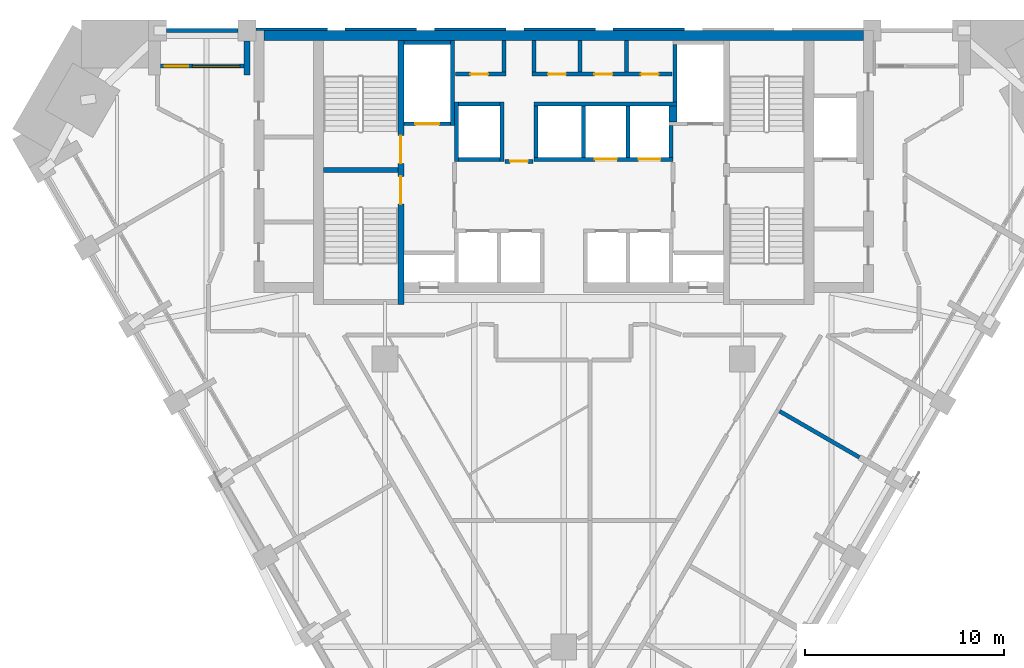
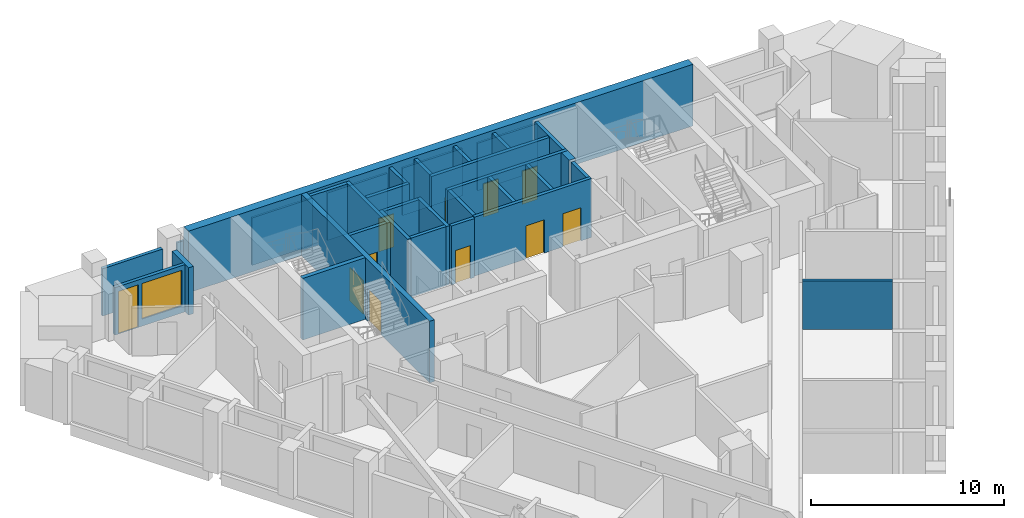
# One storey, part 6 of 10: 34 walls, 11 doors, 1 window, 12 openings.
"""IFC4 building model written with IfcOpenShell, lengths in metres."""

from ifc_helpers import new_model, si_unit, direction, frame, frame_2d, origin, place, context, subcontext, project, spatial, polyline, rectangle, outline, extrude, material, layer, layer_set, type_object, element, fill, save


model = new_model("IFC4")

# Units and contexts
model_context = context("Model", 3, precision=1e-05, world=origin(), true_north=direction((0.0, 1.0)))
body_context = subcontext(model_context, "Body", "Model", "MODEL_VIEW")
ifc_project = project(units=[si_unit("LENGTHUNIT", "METRE"), si_unit("AREAUNIT", "SQUARE_METRE"), si_unit("VOLUMEUNIT", "CUBIC_METRE"), si_unit("PLANEANGLEUNIT", "RADIAN"), si_unit("MASSUNIT", "GRAM", prefix="KILO")], contexts=[model_context])

# Site, building, storey
site_placement = place(None, origin())
site = spatial("IfcSite", under=ifc_project, at=site_placement, CompositionType="ELEMENT")
building_placement = place(site_placement, origin())
building = spatial("IfcBuilding", under=site, at=building_placement, Name="Calabash Gate Tower", CompositionType="ELEMENT")
storey_placement = place(building_placement, frame((0.0, 0.0, 152.39990234375)))
storey = spatial("IfcBuildingStorey", under=building, at=storey_placement, Name="L35", CompositionType="ELEMENT", Elevation=152.39990234375)

# Walls
ifc_material_1 = material(Name="Terracotta brick masonry, exposed face", Category="masonry")
ifc_layer_1 = layer(ifc_material_1, 0.300048828125)
ifc_layer_set_1 = layer_set([ifc_layer_1], Name="Brick loggia cheek wall 300")
wall_type_1 = type_object("IfcWallType", Name="Brick loggia cheek wall 300", PredefinedType="SOLIDWALL", material=ifc_layer_set_1)
wall_1_placement = place(storey_placement, origin())
element("IfcWall", 1, at=wall_1_placement, inside=storey, type_object=wall_type_1, Name="Loggia cheek S09 N6.8", PredefinedType="SOLIDWALL", context=body_context, shape_type="SweptSolid", body=[
    extrude(outline(polyline([(-15.8046875, 16.802490234375), (-15.8046875, 18.527587890625), (-16.104736328125, 18.527587890625), (-16.104736328125, 16.802490234375), (-15.8046875, 16.802490234375)])), origin(), (0.0, 0.0, 1.0), 3.0),
])
ifc_material_2 = material(Name="Gypsum board on steel studs, mineral wool", Category="steel")
ifc_layer_2 = layer(ifc_material_2, 0.199951171875)
ifc_layer_set_2 = layer_set([ifc_layer_2], Name="Core partition 200 gypsum board")
wall_type_2 = type_object("IfcWallType", Name="Core partition 200 gypsum board", PredefinedType="PARTITIONING", material=ifc_layer_set_2)
for number, where, z_axis, x_axis, name in (
    (2, (-3.0, 16.95263671875, 0.0), (0.0, 0.0, 1.0), (0.0, 1.0, 0.0), "Core partition"),
    (3, (-1.5, 16.95263671875, 0.0), (0.0, 0.0, 1.0), (0.0, 1.0, 0.0), "Core partition"),
    (4, (0.833251953125, 16.95263671875, 0.0), (0.0, 0.0, 1.0), (0.0, 1.0, 0.0), "Core partition"),
    (5, (3.166748046875, 16.95263671875, 0.0), (0.0, 0.0, 1.0), (0.0, 1.0, 0.0), "Core partition"),
):
    element("IfcWall", number, at=place(storey_placement, frame(where, z_axis=z_axis, x_axis=x_axis)), inside=storey, type_object=wall_type_2, Name=name, PredefinedType="PARTITIONING", context=body_context, shape_type="SweptSolid", body=[
        extrude(rectangle(XDim=1.599853515625, YDim=0.199951171875, at=frame_2d((0.7998046875, 0.0))), origin(), (0.0, 0.0, 1.0), 3.72998046875),
    ])
ifc_material_3 = material(Name="Concrete C70/85", Category="concrete")
ifc_layer_3 = layer(ifc_material_3, 0.25)
ifc_layer_set_3 = layer_set([ifc_layer_3], Name="Core wall 250 Concrete C70/85")
wall_type_3 = type_object("IfcWallType", Name="Core wall 250 Concrete C70/85", PredefinedType="SHEAR", material=ifc_layer_set_3)
wall_2_placement = place(storey_placement, frame((-12.10009765625, 12.027587890625, 0.0), z_axis=(0.0, 0.0, 1.0), x_axis=(1.0, 0.0, 0.0)))
element("IfcWall", 6, at=wall_2_placement, inside=storey, type_object=wall_type_3, Name="Core wall Z3-MIDW L35", PredefinedType="SHEAR", context=body_context, shape_type="SweptSolid", body=[
    extrude(rectangle(XDim=3.75, YDim=0.25, at=frame_2d((1.875, 0.0))), origin(), (0.0, 0.0, 1.0), 3.900146484375),
])

# Wall, openings, doors
ifc_material_4 = material(Name="Concrete C70/85", Category="concrete")
ifc_layer_4 = layer(ifc_material_4, 0.300048828125)
ifc_layer_set_4 = layer_set([ifc_layer_4], Name="Core wall 300 Concrete C70/85")
wall_type_4 = type_object("IfcWallType", Name="Core wall 300 Concrete C70/85", PredefinedType="SHEAR", material=ifc_layer_set_4)
wall_3_placement = place(storey_placement, frame((-8.199951171875, 5.252685546875, 0.0), z_axis=(0.0, 0.0, 1.0), x_axis=(0.0, 1.0, 0.0)))
wall_3 = element("IfcWall", 7, at=wall_3_placement, inside=storey, type_object=wall_type_4, Name="Core wall Z3-PARTW L35", PredefinedType="SHEAR", context=body_context, shape_type="SweptSolid", body=[
    extrude(rectangle(XDim=13.2998046875, YDim=0.300048828125, at=frame_2d((6.64990234375, 0.0))), origin(), (0.0, 0.0, 1.0), 3.900146484375),
])
opening_1_placement = place(wall_3_placement, frame((7.10009765625, 0.0, 0.0)))
opening_1 = element("IfcOpeningElement", 8, at=opening_1_placement, cuts=wall_3, Name="Opening O1-016", PredefinedType="OPENING", context=body_context, shape_type="SweptSolid", body=[
    extrude(rectangle(XDim=1.39990234375, YDim=2.10009765625, at=frame_2d((0.699951171875, 1.050048828125))), frame((0.0, 0.159912109375, 0.0), z_axis=(0.0, -1.0, 0.0), x_axis=(1.0, 0.0, 0.0)), (0.0, 0.0, 1.0), 0.320068359375),
])
opening_2_placement = place(wall_3_placement, frame((5.050048828125, 0.0, 0.0)))
opening_2 = element("IfcOpeningElement", 9, at=opening_2_placement, cuts=wall_3, Name="Opening O1-017", PredefinedType="OPENING", context=body_context, shape_type="SweptSolid", body=[
    extrude(rectangle(XDim=1.39990234375, YDim=2.10009765625, at=frame_2d((0.699951171875, 1.050048828125))), frame((0.0, 0.159912109375, 0.0), z_axis=(0.0, -1.0, 0.0), x_axis=(1.0, 0.0, 0.0)), (0.0, 0.0, 1.0), 0.320068359375),
])
ifc_material_5 = material(Name="Steel fire door set with fire-resisting glazing", Category="steel")
door_type_1 = type_object("IfcDoorType", Name="Fire door D05 1400x2100 FD90", OperationType="NOTDEFINED", PredefinedType="DOOR", material=ifc_material_5)
door_1_placement = place(opening_1_placement, origin())
door_1 = element("IfcDoor", 10, at=door_1_placement, inside=storey, type_object=door_type_1, Name="Exit stair door ST1", OperationType="SINGLE_SWING_LEFT", OverallHeight=2.10009765625, OverallWidth=1.39990234375, PredefinedType="DOOR", context=body_context, shape_type="SweptSolid", body=[
    extrude(rectangle(XDim=1.39990234375, YDim=2.10009765625, at=frame_2d((0.699951171875, 1.050048828125))), frame((0.0, 0.02490234375, 0.0), z_axis=(0.0, -1.0, 0.0), x_axis=(1.0, 0.0, 0.0)), (0.0, 0.0, 1.0), 0.050048828125),
])
fill(opening_1, door_1)
door_2_placement = place(opening_2_placement, origin())
door_2 = element("IfcDoor", 11, at=door_2_placement, inside=storey, type_object=door_type_1, Name="Exit stair door ST2", OperationType="SINGLE_SWING_LEFT", OverallHeight=2.10009765625, OverallWidth=1.39990234375, PredefinedType="DOOR", context=body_context, shape_type="SweptSolid", body=[
    extrude(rectangle(XDim=1.39990234375, YDim=2.10009765625, at=frame_2d((0.699951171875, 1.050048828125))), frame((0.0, 0.02490234375, 0.0), z_axis=(0.0, -1.0, 0.0), x_axis=(1.0, 0.0, 0.0)), (0.0, 0.0, 1.0), 0.050048828125),
])
fill(opening_2, door_2)

# Walls
ifc_material_6 = material(Name="Concrete C70/85", Category="concrete")
ifc_layer_5 = layer(ifc_material_6, 0.5)
ifc_layer_set_5 = layer_set([ifc_layer_5], Name="Core wall 500 Concrete C70/85")
wall_type_5 = type_object("IfcWallType", Name="Core wall 500 Concrete C70/85", PredefinedType="SHEAR", material=ifc_layer_set_5)
wall_4_placement = place(storey_placement, frame((-15.10009765625, 18.802490234375, 0.0), z_axis=(0.0, 0.0, 1.0), x_axis=(1.0, 0.0, 0.0)))
element("IfcWall", 12, at=wall_4_placement, inside=storey, type_object=wall_type_5, Name="Core wall Z3-N L35", PredefinedType="SHEAR", context=body_context, shape_type="SweptSolid", body=[
    extrude(rectangle(XDim=30.2001953125, YDim=0.5, at=frame_2d((15.10009765625, 0.0))), origin(), (0.0, 0.0, 1.0), 3.900146484375),
])
ifc_material_7 = material(Name="Gypsum board on steel studs, mineral wool", Category="steel")
ifc_layer_6 = layer(ifc_material_7, 0.199951171875)
ifc_layer_set_6 = layer_set([ifc_layer_6], Name="Partition 200 gypsum board EI 60")
wall_type_6 = type_object("IfcWallType", Name="Partition 200 gypsum board EI 60", PredefinedType="PARTITIONING", material=ifc_layer_set_6)
wall_5_placement = place(storey_placement, frame((10.87255859375, -0.127685546875, 0.0), z_axis=(0.0, 0.0, 1.0), x_axis=(0.86585748916, -0.500290723946, 0.0)))
element("IfcWall", 13, at=wall_5_placement, inside=storey, type_object=wall_type_6, Name="Partition", PredefinedType="PARTITIONING", context=body_context, shape_type="SweptSolid", body=[
    extrude(rectangle(XDim=4.648193359375, YDim=0.199951171875, at=frame_2d((2.32421875, 0.0))), origin(), (0.0, 0.0, 1.0), 3.052001953125),
])

# Wall, opening, door
ifc_material_8 = material(Name="Concrete C40/50", Category="concrete")
ifc_layer_7 = layer(ifc_material_8, 0.199951171875)
ifc_layer_set_7 = layer_set([ifc_layer_7], Name="Shaft wall 200 Concrete C40/50")
wall_type_7 = type_object("IfcWallType", Name="Shaft wall 200 Concrete C40/50", PredefinedType="SOLIDWALL", material=ifc_layer_set_7)
wall_6_placement = place(storey_placement, frame((-2.949951171875, 12.45263671875, 0.0), z_axis=(0.0, 0.0, 1.0), x_axis=(1.0, 0.0, 0.0)))
wall_6 = element("IfcWall", 14, at=wall_6_placement, inside=storey, type_object=wall_type_7, Name="Shaft wall", PredefinedType="SOLIDWALL", context=body_context, shape_type="SweptSolid", body=[
    extrude(rectangle(XDim=1.39990234375, YDim=0.199951171875, at=frame_2d((0.699951171875, 0.0))), origin(), (0.0, 0.0, 1.0), 3.72998046875),
])
opening_3_placement = place(wall_6_placement, frame((0.25, 0.0, 0.0)))
opening_3 = element("IfcOpeningElement", 15, at=opening_3_placement, cuts=wall_6, Name="Opening O1-007", PredefinedType="OPENING", context=body_context, shape_type="SweptSolid", body=[
    extrude(rectangle(XDim=0.89990234375, YDim=2.10009765625, at=frame_2d((0.449951171875, 1.050048828125))), frame((0.0, 0.10986328125, 0.0), z_axis=(0.0, -1.0, 0.0), x_axis=(1.0, 0.0, 0.0)), (0.0, 0.0, 1.0), 0.219970703125),
])
ifc_material_9 = material(Name="Steel fire door set with fire-resisting glazing", Category="steel")
door_type_2 = type_object("IfcDoorType", Name="Fire door D06 900x2100 FD60", OperationType="NOTDEFINED", PredefinedType="DOOR", material=ifc_material_9)
door_3_placement = place(opening_3_placement, origin())
door_3 = element("IfcDoor", 16, at=door_3_placement, inside=storey, type_object=door_type_2, Name="Service Corridor door", OperationType="SINGLE_SWING_RIGHT", OverallHeight=2.10009765625, OverallWidth=0.89990234375, PredefinedType="DOOR", context=body_context, shape_type="SweptSolid", body=[
    extrude(rectangle(XDim=0.89990234375, YDim=2.10009765625, at=frame_2d((0.449951171875, 1.050048828125))), frame((0.0, 0.02490234375, 0.0), z_axis=(0.0, -1.0, 0.0), x_axis=(1.0, 0.0, 0.0)), (0.0, 0.0, 1.0), 0.050048828125),
])
fill(opening_3, door_3)

# Walls
wall_7_placement = place(storey_placement, frame((-5.39990234375, 12.45263671875, 0.0), z_axis=(0.0, 0.0, 1.0), x_axis=(0.0, 1.0, 0.0)))
element("IfcWall", 17, at=wall_7_placement, inside=storey, type_object=wall_type_7, Name="Shaft wall", PredefinedType="SOLIDWALL", context=body_context, shape_type="SweptSolid", body=[
    extrude(rectangle(XDim=3.0, YDim=0.199951171875, at=frame_2d((1.5, 0.0))), origin(), (0.0, 0.0, 1.0), 3.72998046875),
])
wall_8_placement = place(storey_placement, frame((-5.300048828125, 12.552490234375, 0.0), z_axis=(0.0, 0.0, 1.0), x_axis=(1.0, 0.0, 0.0)))
element("IfcWall", 18, at=wall_8_placement, inside=storey, type_object=wall_type_7, Name="Shaft wall", PredefinedType="SOLIDWALL", context=body_context, shape_type="SweptSolid", body=[
    extrude(rectangle(XDim=2.10009765625, YDim=0.199951171875, at=frame_2d((1.050048828125, 0.0))), origin(), (0.0, 0.0, 1.0), 3.72998046875),
])
wall_9_placement = place(storey_placement, frame((-3.10009765625, 12.45263671875, 0.0), z_axis=(0.0, 0.0, 1.0), x_axis=(0.0, 1.0, 0.0)))
element("IfcWall", 19, at=wall_9_placement, inside=storey, type_object=wall_type_7, Name="Shaft wall", PredefinedType="SOLIDWALL", context=body_context, shape_type="SweptSolid", body=[
    extrude(rectangle(XDim=3.0, YDim=0.199951171875, at=frame_2d((1.5, 0.0))), origin(), (0.0, 0.0, 1.0), 3.72998046875),
])

# Wall, openings, doors
wall_10_placement = place(storey_placement, frame((-1.5, 12.552490234375, 0.0), z_axis=(0.0, 0.0, 1.0), x_axis=(1.0, 0.0, 0.0)))
wall_10 = element("IfcWall", 20, at=wall_10_placement, inside=storey, type_object=wall_type_7, Name="Shaft wall", PredefinedType="SOLIDWALL", context=body_context, shape_type="SweptSolid", body=[
    extrude(rectangle(XDim=7.0, YDim=0.199951171875, at=frame_2d((3.5, 0.0))), origin(), (0.0, 0.0, 1.0), 3.72998046875),
])
opening_4_placement = place(wall_10_placement, frame((3.074951171875, 0.0, 0.0)))
opening_4 = element("IfcOpeningElement", 21, at=opening_4_placement, cuts=wall_10, Name="Opening LD-HR5", PredefinedType="OPENING", context=body_context, shape_type="SweptSolid", body=[
    extrude(rectangle(XDim=1.10009765625, YDim=2.10009765625, at=frame_2d((0.550048828125, 1.050048828125))), frame((0.0, 0.10986328125, 0.0), z_axis=(0.0, -1.0, 0.0), x_axis=(1.0, 0.0, 0.0)), (0.0, 0.0, 1.0), 0.219970703125),
])
opening_5_placement = place(wall_10_placement, frame((5.27490234375, 0.0, 0.0)))
opening_5 = element("IfcOpeningElement", 22, at=opening_5_placement, cuts=wall_10, Name="Opening LD-HR6", PredefinedType="OPENING", context=body_context, shape_type="SweptSolid", body=[
    extrude(rectangle(XDim=1.10009765625, YDim=2.10009765625, at=frame_2d((0.550048828125, 1.050048828125))), frame((0.0, 0.10986328125, 0.0), z_axis=(0.0, -1.0, 0.0), x_axis=(1.0, 0.0, 0.0)), (0.0, 0.0, 1.0), 0.219970703125),
])
ifc_material_10 = material(Name="Stainless steel sliding door leaves", Category="steel")
door_type_3 = type_object("IfcDoorType", Name="Lift landing door LS1 1100x2100 FD90", OperationType="DOUBLE_DOOR_SLIDING", PredefinedType="DOOR", material=ifc_material_10)
door_4_placement = place(opening_4_placement, origin())
door_4 = element("IfcDoor", 23, at=door_4_placement, inside=storey, type_object=door_type_3, Name="Lift landing door HR5", OperationType="DOUBLE_DOOR_SLIDING", OverallHeight=2.10009765625, OverallWidth=1.10009765625, PredefinedType="DOOR", context=body_context, shape_type="SweptSolid", body=[
    extrude(rectangle(XDim=1.10009765625, YDim=2.10009765625, at=frame_2d((0.550048828125, 1.050048828125))), frame((0.0, 0.02490234375, 0.0), z_axis=(0.0, -1.0, 0.0), x_axis=(1.0, 0.0, 0.0)), (0.0, 0.0, 1.0), 0.050048828125),
])
fill(opening_4, door_4)
door_5_placement = place(opening_5_placement, origin())
door_5 = element("IfcDoor", 24, at=door_5_placement, inside=storey, type_object=door_type_3, Name="Lift landing door HR6", OperationType="DOUBLE_DOOR_SLIDING", OverallHeight=2.10009765625, OverallWidth=1.10009765625, PredefinedType="DOOR", context=body_context, shape_type="SweptSolid", body=[
    extrude(rectangle(XDim=1.10009765625, YDim=2.10009765625, at=frame_2d((0.550048828125, 1.050048828125))), frame((0.0, 0.02490234375, 0.0), z_axis=(0.0, -1.0, 0.0), x_axis=(1.0, 0.0, 0.0)), (0.0, 0.0, 1.0), 0.050048828125),
])
fill(opening_5, door_5)

# Walls
for number, where, z_axis, x_axis, name in (
    (25, (-1.39990234375, 12.652587890625, 0.0), (0.0, 0.0, 1.0), (0.0, 1.0, 0.0), "Shaft wall"),
    (26, (1.0, 12.652587890625, 0.0), (0.0, 0.0, 1.0), (0.0, 1.0, 0.0), "Shaft wall"),
    (27, (3.25, 12.652587890625, 0.0), (0.0, 0.0, 1.0), (0.0, 1.0, 0.0), "Shaft wall"),
):
    element("IfcWall", number, at=place(storey_placement, frame(where, z_axis=z_axis, x_axis=x_axis)), inside=storey, type_object=wall_type_7, Name=name, PredefinedType="SOLIDWALL", context=body_context, shape_type="SweptSolid", body=[
        extrude(rectangle(XDim=2.60009765625, YDim=0.199951171875, at=frame_2d((1.300048828125, 0.0))), origin(), (0.0, 0.0, 1.0), 3.72998046875),
    ])
wall_11_placement = place(storey_placement, frame((5.39990234375, 12.652587890625, 0.0), z_axis=(0.0, 0.0, 1.0), x_axis=(0.0, 1.0, 0.0)))
element("IfcWall", 28, at=wall_11_placement, inside=storey, type_object=wall_type_7, Name="Shaft wall", PredefinedType="SOLIDWALL", context=body_context, shape_type="SweptSolid", body=[
    extrude(rectangle(XDim=1.60009765625, YDim=0.199951171875, at=frame_2d((0.800048828125, 0.0))), origin(), (0.0, 0.0, 1.0), 3.72998046875),
])

# Wall, opening, door
wall_12_placement = place(storey_placement, frame((-8.050048828125, 14.3525390625, 0.0), z_axis=(0.0, 0.0, 1.0), x_axis=(1.0, 0.0, 0.0)))
wall_12 = element("IfcWall", 29, at=wall_12_placement, inside=storey, type_object=wall_type_7, Name="Shaft wall", PredefinedType="SOLIDWALL", context=body_context, shape_type="SweptSolid", body=[
    extrude(rectangle(XDim=2.35009765625, YDim=0.199951171875, at=frame_2d((1.175048828125, 0.0))), origin(), (0.0, 0.0, 1.0), 3.72998046875),
])
opening_6_placement = place(wall_12_placement, frame((0.574951171875, 0.0, 0.0)))
opening_6 = element("IfcOpeningElement", 30, at=opening_6_placement, cuts=wall_12, Name="Opening LD-FF1", PredefinedType="OPENING", context=body_context, shape_type="SweptSolid", body=[
    extrude(rectangle(XDim=1.199951171875, YDim=2.10009765625, at=frame_2d((0.60009765625, 1.050048828125))), frame((0.0, 0.10986328125, 0.0), z_axis=(0.0, -1.0, 0.0), x_axis=(1.0, 0.0, 0.0)), (0.0, 0.0, 1.0), 0.219970703125),
])
ifc_material_11 = material(Name="Stainless steel sliding door leaves", Category="steel")
door_type_4 = type_object("IfcDoorType", Name="Lift landing door LS3 1200x2100 FD90", OperationType="DOUBLE_DOOR_SLIDING", PredefinedType="DOOR", material=ifc_material_11)
door_6_placement = place(opening_6_placement, origin())
door_6 = element("IfcDoor", 31, at=door_6_placement, inside=storey, type_object=door_type_4, Name="Lift landing door FF1", OperationType="DOUBLE_DOOR_SLIDING", OverallHeight=2.10009765625, OverallWidth=1.199951171875, PredefinedType="DOOR", context=body_context, shape_type="SweptSolid", body=[
    extrude(rectangle(XDim=1.199951171875, YDim=2.10009765625, at=frame_2d((0.60009765625, 1.050048828125))), frame((0.0, 0.02490234375, 0.0), z_axis=(0.0, -1.0, 0.0), x_axis=(1.0, 0.0, 0.0)), (0.0, 0.0, 1.0), 0.050048828125),
])
fill(opening_6, door_6)

# Walls
wall_13_placement = place(storey_placement, frame((-5.60009765625, 14.252685546875, 0.0), z_axis=(0.0, 0.0, 1.0), x_axis=(0.0, 1.0, 0.0)))
element("IfcWall", 32, at=wall_13_placement, inside=storey, type_object=wall_type_7, Name="Shaft wall", PredefinedType="SOLIDWALL", context=body_context, shape_type="SweptSolid", body=[
    extrude(rectangle(XDim=4.2998046875, YDim=0.199951171875, at=frame_2d((2.14990234375, 0.0))), origin(), (0.0, 0.0, 1.0), 3.72998046875),
])
wall_14_placement = place(storey_placement, frame((5.5, 14.45263671875, 0.0), z_axis=(0.0, 0.0, 1.0), x_axis=(0.0, 1.0, 0.0)))
element("IfcWall", 33, at=wall_14_placement, inside=storey, type_object=wall_type_7, Name="Shaft wall", PredefinedType="SOLIDWALL", context=body_context, shape_type="SweptSolid", body=[
    extrude(rectangle(XDim=0.800048828125, YDim=0.39990234375, at=frame_2d((0.39990234375, 0.0))), origin(), (0.0, 0.0, 1.0), 3.72998046875),
])
wall_15_placement = place(storey_placement, frame((-5.300048828125, 15.3525390625, 0.0), z_axis=(0.0, 0.0, 1.0), x_axis=(1.0, 0.0, 0.0)))
element("IfcWall", 34, at=wall_15_placement, inside=storey, type_object=wall_type_7, Name="Shaft wall", PredefinedType="SOLIDWALL", context=body_context, shape_type="SweptSolid", body=[
    extrude(rectangle(XDim=2.10009765625, YDim=0.199951171875, at=frame_2d((1.050048828125, 0.0))), origin(), (0.0, 0.0, 1.0), 3.72998046875),
])
wall_16_placement = place(storey_placement, frame((-1.5, 15.3525390625, 0.0), z_axis=(0.0, 0.0, 1.0), x_axis=(1.0, 0.0, 0.0)))
element("IfcWall", 35, at=wall_16_placement, inside=storey, type_object=wall_type_7, Name="Shaft wall", PredefinedType="SOLIDWALL", context=body_context, shape_type="SweptSolid", body=[
    extrude(rectangle(XDim=7.199951171875, YDim=0.199951171875, at=frame_2d((3.60009765625, 0.0))), origin(), (0.0, 0.0, 1.0), 3.72998046875),
])
wall_17_placement = place(storey_placement, frame((5.60009765625, 15.45263671875, 0.0), z_axis=(0.0, 0.0, 1.0), x_axis=(0.0, 1.0, 0.0)))
element("IfcWall", 36, at=wall_17_placement, inside=storey, type_object=wall_type_7, Name="Shaft wall", PredefinedType="SOLIDWALL", context=body_context, shape_type="SweptSolid", body=[
    extrude(rectangle(XDim=2.89990234375, YDim=0.199951171875, at=frame_2d((1.449951171875, 0.0))), origin(), (0.0, 0.0, 1.0), 3.72998046875),
])

# Wall, opening, door
wall_18_placement = place(storey_placement, frame((-5.449951171875, 16.8525390625, 0.0), z_axis=(0.0, 0.0, 1.0), x_axis=(1.0, 0.0, 0.0)))
wall_18 = element("IfcWall", 37, at=wall_18_placement, inside=storey, type_object=wall_type_7, Name="Shaft wall", PredefinedType="SOLIDWALL", context=body_context, shape_type="SweptSolid", body=[
    extrude(rectangle(XDim=2.550048828125, YDim=0.199951171875, at=frame_2d((1.27490234375, 0.0))), origin(), (0.0, 0.0, 1.0), 3.72998046875),
])
opening_7_placement = place(wall_18_placement, frame((0.75, 0.0, 0.0)))
opening_7 = element("IfcOpeningElement", 38, at=opening_7_placement, cuts=wall_18, Name="Opening O1-010", PredefinedType="OPENING", context=body_context, shape_type="SweptSolid", body=[
    extrude(rectangle(XDim=0.89990234375, YDim=2.10009765625, at=frame_2d((0.449951171875, 1.050048828125))), frame((0.0, 0.10986328125, 0.0), z_axis=(0.0, -1.0, 0.0), x_axis=(1.0, 0.0, 0.0)), (0.0, 0.0, 1.0), 0.219970703125),
])
door_7_placement = place(opening_7_placement, origin())
door_7 = element("IfcDoor", 39, at=door_7_placement, inside=storey, type_object=door_type_2, Name="Accessible WC door", OperationType="SINGLE_SWING_LEFT", OverallHeight=2.10009765625, OverallWidth=0.89990234375, PredefinedType="DOOR", context=body_context, shape_type="SweptSolid", body=[
    extrude(rectangle(XDim=0.89990234375, YDim=2.10009765625, at=frame_2d((0.449951171875, 1.050048828125))), frame((0.0, 0.02490234375, 0.0), z_axis=(0.0, -1.0, 0.0), x_axis=(1.0, 0.0, 0.0)), (0.0, 0.0, 1.0), 0.050048828125),
])
fill(opening_7, door_7)

# Wall, openings, doors
wall_19_placement = place(storey_placement, frame((-1.60009765625, 16.8525390625, 0.0), z_axis=(0.0, 0.0, 1.0), x_axis=(1.0, 0.0, 0.0)))
wall_19 = element("IfcWall", 40, at=wall_19_placement, inside=storey, type_object=wall_type_7, Name="Shaft wall", PredefinedType="SOLIDWALL", context=body_context, shape_type="SweptSolid", body=[
    extrude(rectangle(XDim=7.050048828125, YDim=0.199951171875, at=frame_2d((3.52490234375, 0.0))), origin(), (0.0, 0.0, 1.0), 3.72998046875),
])
opening_8_placement = place(wall_19_placement, frame((0.816650390625, 0.0, 0.0)))
opening_8 = element("IfcOpeningElement", 41, at=opening_8_placement, cuts=wall_19, Name="Opening O1-011", PredefinedType="OPENING", context=body_context, shape_type="SweptSolid", body=[
    extrude(rectangle(XDim=0.89990234375, YDim=2.10009765625, at=frame_2d((0.449951171875, 1.050048828125))), frame((0.0, 0.10986328125, 0.0), z_axis=(0.0, -1.0, 0.0), x_axis=(1.0, 0.0, 0.0)), (0.0, 0.0, 1.0), 0.219970703125),
])
opening_9_placement = place(wall_19_placement, frame((3.14990234375, 0.0, 0.0)))
opening_9 = element("IfcOpeningElement", 42, at=opening_9_placement, cuts=wall_19, Name="Opening O1-012", PredefinedType="OPENING", context=body_context, shape_type="SweptSolid", body=[
    extrude(rectangle(XDim=0.89990234375, YDim=2.10009765625, at=frame_2d((0.449951171875, 1.050048828125))), frame((0.0, 0.10986328125, 0.0), z_axis=(0.0, -1.0, 0.0), x_axis=(1.0, 0.0, 0.0)), (0.0, 0.0, 1.0), 0.219970703125),
])
opening_10_placement = place(wall_19_placement, frame((5.4833984375, 0.0, 0.0)))
opening_10 = element("IfcOpeningElement", 43, at=opening_10_placement, cuts=wall_19, Name="Opening O1-013", PredefinedType="OPENING", context=body_context, shape_type="SweptSolid", body=[
    extrude(rectangle(XDim=0.89990234375, YDim=2.10009765625, at=frame_2d((0.449951171875, 1.050048828125))), frame((0.0, 0.10986328125, 0.0), z_axis=(0.0, -1.0, 0.0), x_axis=(1.0, 0.0, 0.0)), (0.0, 0.0, 1.0), 0.219970703125),
])
door_8_placement = place(opening_8_placement, origin())
door_8 = element("IfcDoor", 44, at=door_8_placement, inside=storey, type_object=door_type_2, Name="Cleaner's Store door", OperationType="SINGLE_SWING_LEFT", OverallHeight=2.10009765625, OverallWidth=0.89990234375, PredefinedType="DOOR", context=body_context, shape_type="SweptSolid", body=[
    extrude(rectangle(XDim=0.89990234375, YDim=2.10009765625, at=frame_2d((0.449951171875, 1.050048828125))), frame((0.0, 0.02490234375, 0.0), z_axis=(0.0, -1.0, 0.0), x_axis=(1.0, 0.0, 0.0)), (0.0, 0.0, 1.0), 0.050048828125),
])
fill(opening_8, door_8)
door_9_placement = place(opening_9_placement, origin())
door_9 = element("IfcDoor", 45, at=door_9_placement, inside=storey, type_object=door_type_2, Name="Tenant Pantry door", OperationType="SINGLE_SWING_LEFT", OverallHeight=2.10009765625, OverallWidth=0.89990234375, PredefinedType="DOOR", context=body_context, shape_type="SweptSolid", body=[
    extrude(rectangle(XDim=0.89990234375, YDim=2.10009765625, at=frame_2d((0.449951171875, 1.050048828125))), frame((0.0, 0.02490234375, 0.0), z_axis=(0.0, -1.0, 0.0), x_axis=(1.0, 0.0, 0.0)), (0.0, 0.0, 1.0), 0.050048828125),
])
fill(opening_9, door_9)
door_10_placement = place(opening_10_placement, origin())
door_10 = element("IfcDoor", 46, at=door_10_placement, inside=storey, type_object=door_type_2, Name="Print Room door", OperationType="SINGLE_SWING_RIGHT", OverallHeight=2.10009765625, OverallWidth=0.89990234375, PredefinedType="DOOR", context=body_context, shape_type="SweptSolid", body=[
    extrude(rectangle(XDim=0.89990234375, YDim=2.10009765625, at=frame_2d((0.449951171875, 1.050048828125))), frame((0.0, 0.02490234375, 0.0), z_axis=(0.0, -1.0, 0.0), x_axis=(1.0, 0.0, 0.0)), (0.0, 0.0, 1.0), 0.050048828125),
])
fill(opening_10, door_10)

# Walls
wall_20_placement = place(storey_placement, frame((-8.050048828125, 18.45263671875, 0.0), z_axis=(0.0, 0.0, 1.0), x_axis=(1.0, 0.0, 0.0)))
element("IfcWall", 47, at=wall_20_placement, inside=storey, type_object=wall_type_7, Name="Shaft wall", PredefinedType="SOLIDWALL", context=body_context, shape_type="SweptSolid", body=[
    extrude(rectangle(XDim=2.35009765625, YDim=0.199951171875, at=frame_2d((1.175048828125, 0.0))), origin(), (0.0, 0.0, 1.0), 3.72998046875),
])
ifc_material_12 = material(Name="Terracotta brick masonry, perforated", Category="masonry")
ifc_layer_8 = layer(ifc_material_12, 0.1201171875)
ifc_layer_set_8 = layer_set([ifc_layer_8], Name="Terracotta jaali cladding A 120")
wall_type_8 = type_object("IfcWallType", Name="Terracotta jaali cladding A 120", PredefinedType="SOLIDWALL", material=ifc_layer_set_8)
wall_21_placement = place(storey_placement, origin())
element("IfcWall", 48, at=wall_21_placement, inside=storey, type_object=wall_type_8, Name="Jaali cladding S09 N6.5", PredefinedType="SOLIDWALL", context=body_context, shape_type="SweptSolid", body=[
    extrude(outline(polyline([(-2.004638671875, 19.172607421875), (-2.004638671875, 19.052490234375), (1.59521484375, 19.052490234375), (1.59521484375, 19.172607421875), (-2.004638671875, 19.172607421875)])), origin(), (0.0, 0.0, 1.0), 3.0),
])
wall_22_placement = place(storey_placement, origin())
element("IfcWall", 49, at=wall_22_placement, inside=storey, type_object=wall_type_8, Name="Jaali cladding S09 N6.7", PredefinedType="SOLIDWALL", context=body_context, shape_type="SweptSolid", body=[
    extrude(outline(polyline([(-11.004638671875, 19.172607421875), (-11.004638671875, 19.052490234375), (-7.40478515625, 19.052490234375), (-7.40478515625, 19.172607421875), (-11.004638671875, 19.172607421875)])), origin(), (0.0, 0.0, 1.0), 3.0),
])
ifc_material_13 = material(Name="Terracotta brick masonry, perforated", Category="masonry")
ifc_layer_9 = layer(ifc_material_13, 0.199951171875)
ifc_layer_set_9 = layer_set([ifc_layer_9], Name="Terracotta jaali screen A")
wall_type_9 = type_object("IfcWallType", Name="Terracotta jaali screen A", PredefinedType="SOLIDWALL", material=ifc_layer_set_9)
wall_23_placement = place(storey_placement, origin())
element("IfcWall", 50, at=wall_23_placement, inside=storey, type_object=wall_type_9, Name="SCREEN A S09 N6.9", PredefinedType="SOLIDWALL", context=body_context, shape_type="SweptSolid", body=[
    extrude(outline(polyline([(-16.40478515625, 19.152587890625), (-20.0029296875, 19.152587890625), (-20.0029296875, 18.95263671875), (-16.40478515625, 18.95263671875), (-16.40478515625, 19.152587890625)])), origin(), (0.0, 0.0, 1.0), 3.0),
])
ifc_material_14 = material(Name="Terracotta louvre blades in an aluminium frame", Category="masonry")
ifc_layer_10 = layer(ifc_material_14, 0.1201171875)
ifc_layer_set_10 = layer_set([ifc_layer_10], Name="Terracotta vent louvre cladding 120")
wall_type_10 = type_object("IfcWallType", Name="Terracotta vent louvre cladding 120", PredefinedType="ELEMENTEDWALL", material=ifc_layer_set_10)
wall_24_placement = place(storey_placement, origin())
element("IfcWall", 51, at=wall_24_placement, inside=storey, type_object=wall_type_10, Name="Vent louvre cladding S09 N6.4", PredefinedType="ELEMENTEDWALL", context=body_context, shape_type="SweptSolid", body=[
    extrude(outline(polyline([(2.495361328125, 19.172607421875), (2.495361328125, 19.052490234375), (6.09521484375, 19.052490234375), (6.09521484375, 19.172607421875), (2.495361328125, 19.172607421875)])), origin(), (0.0, 0.0, 1.0), 3.0),
])
wall_25_placement = place(storey_placement, origin())
element("IfcWall", 52, at=wall_25_placement, inside=storey, type_object=wall_type_10, Name="Vent louvre cladding S09 N6.6", PredefinedType="ELEMENTEDWALL", context=body_context, shape_type="SweptSolid", body=[
    extrude(outline(polyline([(-6.504638671875, 19.172607421875), (-6.504638671875, 19.052490234375), (-2.90478515625, 19.052490234375), (-2.90478515625, 19.172607421875), (-6.504638671875, 19.172607421875)])), origin(), (0.0, 0.0, 1.0), 3.0),
])
wall_26_placement = place(storey_placement, origin())
element("IfcWall", 53, at=wall_26_placement, inside=storey, type_object=wall_type_10, Name="Vent louvre cladding S09 N6.8", PredefinedType="ELEMENTEDWALL", context=body_context, shape_type="SweptSolid", body=[
    extrude(outline(polyline([(-11.90478515625, 19.052490234375), (-11.90478515625, 19.172607421875), (-15.5029296875, 19.172607421875), (-15.5029296875, 19.052490234375), (-11.90478515625, 19.052490234375)])), origin(), (0.0, 0.0, 1.0), 3.0),
])

# Wall, openings, door, window
ifc_material_15 = material(Name="Aluminium framed window wall with insulated spandrel", Category="aluminium")
ifc_layer_11 = layer(ifc_material_15, 0.199951171875)
ifc_layer_set_11 = layer_set([ifc_layer_11], Name="Window wall 200")
wall_type_11 = type_object("IfcWallType", Name="Window wall 200", PredefinedType="ELEMENTEDWALL", material=ifc_layer_set_11)
wall_27_placement = place(storey_placement, frame((-16.104736328125, 17.25244140625, 0.0), z_axis=(0.0, 0.0, 1.0), x_axis=(-1.0, 0.0, 0.0)))
wall_27 = element("IfcWall", 54, at=wall_27_placement, inside=storey, type_object=wall_type_11, Name="Window wall S09 N6.9", PredefinedType="ELEMENTEDWALL", context=body_context, shape_type="SweptSolid", body=[
    extrude(rectangle(XDim=4.199951171875, YDim=0.199951171875, at=frame_2d((2.10009765625, 0.0))), origin(), (0.0, 0.0, 1.0), 3.0),
])
opening_11_placement = place(wall_27_placement, frame((0.199951171875, 0.0, 0.449951171875)))
opening_11 = element("IfcOpeningElement", 55, at=opening_11_placement, cuts=wall_27, Name="Opening OW1", PredefinedType="OPENING", context=body_context, shape_type="SweptSolid", body=[
    extrude(rectangle(XDim=2.39990234375, YDim=2.25, at=frame_2d((1.199951171875, 1.125))), frame((0.0, 0.10986328125, 0.0), z_axis=(0.0, -1.0, 0.0), x_axis=(1.0, 0.0, 0.0)), (0.0, 0.0, 1.0), 0.219970703125),
])
opening_12_placement = place(wall_27_placement, frame((2.800048828125, 0.0, 0.0)))
opening_12 = element("IfcOpeningElement", 56, at=opening_12_placement, cuts=wall_27, Name="Opening O1-021", PredefinedType="OPENING", context=body_context, shape_type="SweptSolid", body=[
    extrude(rectangle(XDim=1.199951171875, YDim=2.699951171875, at=frame_2d((0.60009765625, 1.35009765625))), frame((0.0, 0.10986328125, 0.0), z_axis=(0.0, -1.0, 0.0), x_axis=(1.0, 0.0, 0.0)), (0.0, 0.0, 1.0), 0.219970703125),
])
ifc_material_16 = material(Name="Anodised aluminium frame, bronze finish, impact-rated laminated clear glazing", Category="aluminium")
door_type_5 = type_object("IfcDoorType", Name="Loggia door DO1 1200x2700", OperationType="SLIDING_TO_LEFT", PredefinedType="DOOR", material=ifc_material_16)
door_11_placement = place(opening_12_placement, origin())
door_11 = element("IfcDoor", 57, at=door_11_placement, inside=storey, type_object=door_type_5, Name="Loggia door S09 N6.9", OperationType="SINGLE_SWING_LEFT", OverallHeight=2.699951171875, OverallWidth=1.199951171875, PredefinedType="DOOR", context=body_context, shape_type="SweptSolid", body=[
    extrude(rectangle(XDim=1.199951171875, YDim=2.699951171875, at=frame_2d((0.60009765625, 1.35009765625))), frame((0.0, 0.02490234375, 0.0), z_axis=(0.0, -1.0, 0.0), x_axis=(1.0, 0.0, 0.0)), (0.0, 0.0, 1.0), 0.050048828125),
])
fill(opening_12, door_11)
ifc_material_17 = material(Name="Anodised aluminium frame, bronze finish, impact-rated laminated clear glazing", Category="aluminium")
window_type = type_object("IfcWindowType", Name="Window OW1 2400x2250", PartitioningType="DOUBLE_PANEL_VERTICAL", PredefinedType="WINDOW", material=ifc_material_17)
window_placement = place(opening_11_placement, origin())
window = element("IfcWindow", 58, at=window_placement, inside=storey, type_object=window_type, Name="Window OW1 S09 N6.9", OverallHeight=2.25, OverallWidth=2.39990234375, PartitioningType="SINGLE_PANEL", PredefinedType="WINDOW", context=body_context, shape_type="SweptSolid", body=[
    extrude(rectangle(XDim=2.39990234375, YDim=2.25, at=frame_2d((1.199951171875, 1.125))), frame((0.0, 0.030029296875, 0.0), z_axis=(0.0, -1.0, 0.0), x_axis=(1.0, 0.0, 0.0)), (0.0, 0.0, 1.0), 0.06005859375),
])
fill(opening_11, window)

save(model, "model.ifc")
